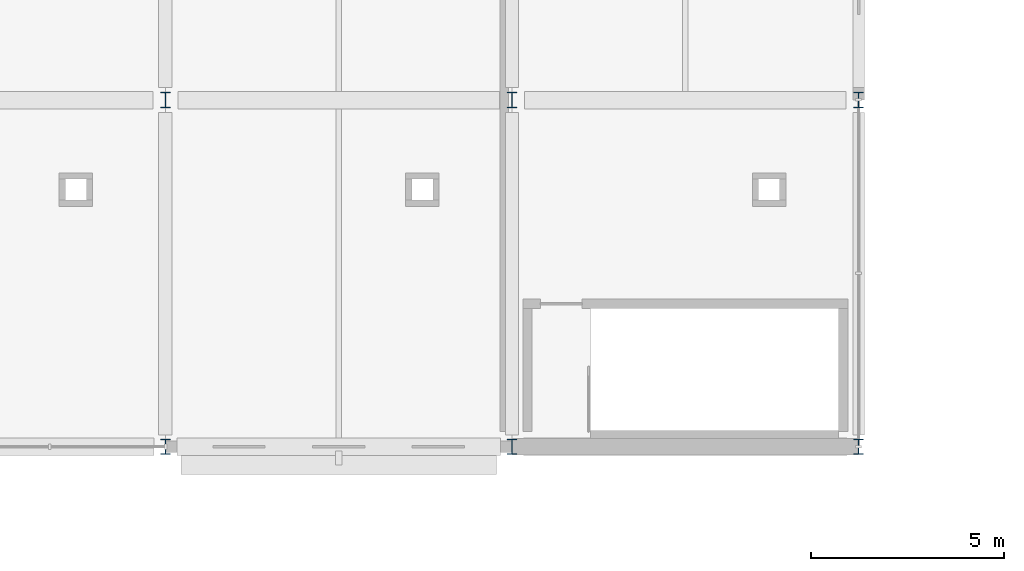
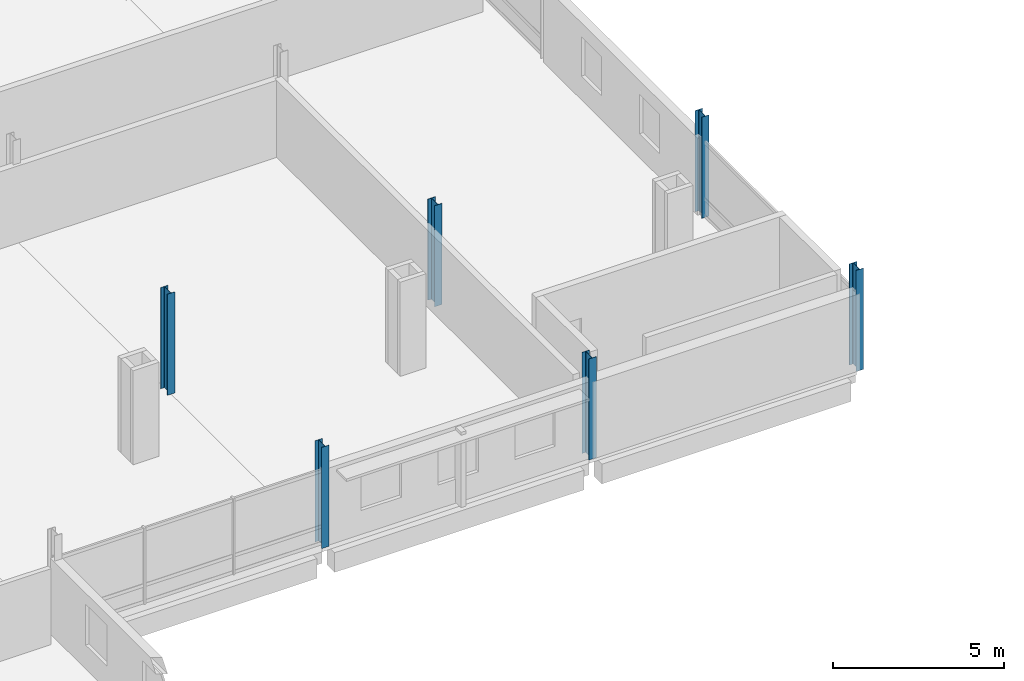
# One storey, part 5 of 132: 6 columns.
"""IFC4 building model written with IfcOpenShell, lengths in metres."""

from ifc_helpers import new_model, si_unit, direction, frame, origin, origin_2d, place, context, subcontext, project, spatial, i_section, extrude, material, material_profile, profile_set, type_object, element, save


model = new_model("IFC4")

# Units and contexts
model_context = context("Model", 3, precision=1e-05, world=origin(), true_north=direction((0.0, 1.0)))
body_context = subcontext(model_context, "Body", "Model", "MODEL_VIEW")
ifc_project = project(units=[si_unit("LENGTHUNIT", "METRE"), si_unit("AREAUNIT", "SQUARE_METRE"), si_unit("VOLUMEUNIT", "CUBIC_METRE"), si_unit("PLANEANGLEUNIT", "RADIAN"), si_unit("MASSUNIT", "GRAM", prefix="KILO")], contexts=[model_context])

# Site, building, storey
site_placement = place(None, origin())
site = spatial("IfcSite", under=ifc_project, at=site_placement, CompositionType="ELEMENT")
building_placement = place(site_placement, origin())
building = spatial("IfcBuilding", under=site, at=building_placement, Name="Tharagai Park Tramway Depot", CompositionType="ELEMENT")
storey_placement = place(building_placement, frame((0.0, 0.0, 4.800048828125)))
storey = spatial("IfcBuildingStorey", under=building, at=storey_placement, Name="L01", CompositionType="ELEMENT", Elevation=4.800048828125)

# Columns
ifc_material = material(Name="Steel E350", Category="steel")
ifc_material_profile = material_profile(ifc_material, i_section(OverallWidth=0.25, OverallDepth=0.39990234375, WebThickness=0.010498046875, FlangeThickness=0.0126953125, FilletRadius=0.013916015625, at=origin_2d()), Name="ISHB 400")
ifc_profile_set = profile_set([ifc_material_profile], Name="Steel E350")
column_type = type_object("IfcColumnType", Name="CL-06", PredefinedType="COLUMN", material=ifc_profile_set)
for number, where, z_axis, x_axis, name in (
    (1, (72.0, 45.0, 0.0), (0.0, 0.0, 1.0), (1.0, 0.0, 0.0), "L01 Structural Column CL-06 (72,45)"),
    (2, (72.0, 54.0, 0.0), (0.0, 0.0, 1.0), (1.0, 0.0, 0.0), "L01 Structural Column CL-06 (72,54)"),
    (3, (81.0, 45.0, 0.0), (0.0, 0.0, 1.0), (1.0, 0.0, 0.0), "L01 Structural Column CL-06 (81,45)"),
    (4, (81.0, 54.0, 0.0), (0.0, 0.0, 1.0), (1.0, 0.0, 0.0), "L01 Structural Column CL-06 (81,54)"),
    (5, (90.0, 45.0, 0.0), (0.0, 0.0, 1.0), (1.0, 0.0, 0.0), "L01 Structural Column CL-06 (90,45)"),
    (6, (90.0, 54.0, 0.0), (0.0, 0.0, 1.0), (1.0, 0.0, 0.0), "L01 Structural Column CL-06 (90,54)"),
):
    element("IfcColumn", number, at=place(storey_placement, frame(where, z_axis=z_axis, x_axis=x_axis)), inside=storey, type_object=column_type, Name=name, PredefinedType="COLUMN", context=body_context, shape_type="SweptSolid", body=[
        extrude(i_section(OverallWidth=0.25, OverallDepth=0.39990234375, WebThickness=0.010498046875, FlangeThickness=0.0126953125, FilletRadius=0.013916015625, at=origin_2d()), origin(), (0.0, 0.0, 1.0), 3.599853515625),
    ])

save(model, "model.ifc")
